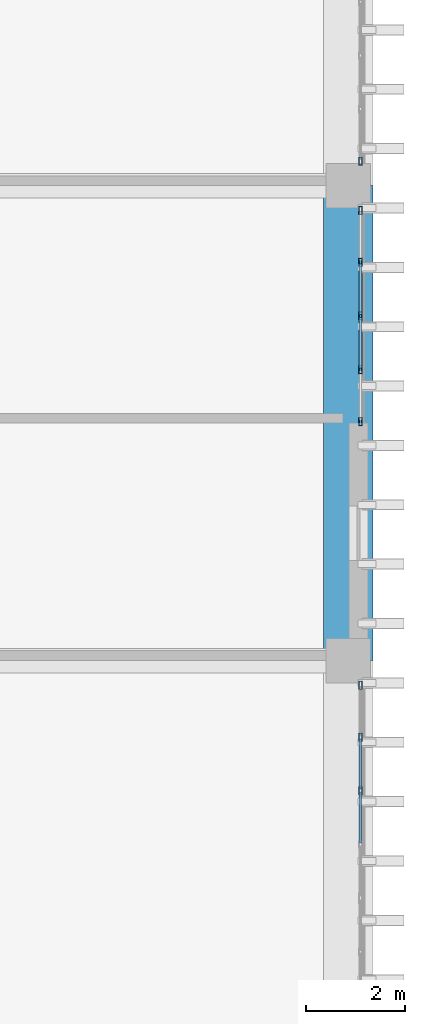
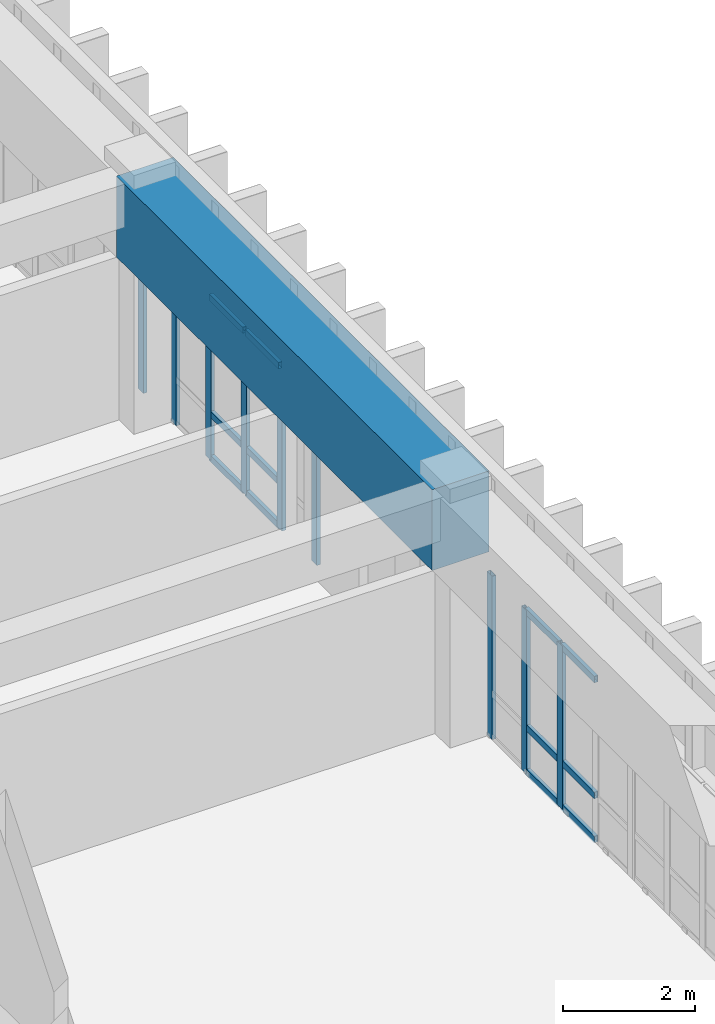
# One storey, part 45 of 101: 21 members, 1 beam, 3 elements without a shape of their own.
"""IFC4 building model written with IfcOpenShell, lengths in metres."""

import ifcopenshell
import ifcopenshell.guid

model = None  # the IFC model being written
_history = None  # IfcOwnerHistory: only IFC2X3 demands one
_inside = {}  # id of a spatial element -> (the spatial element, [elements in it])
_under = {}  # id of a project, library or spatial element -> (it, [spatial elements below it])
_declared = {}  # id of a project -> (the project, [libraries it declares])
_typed = {}  # id of a type object -> (the type object, [elements of that type])
_made_of = {}  # id of a material, layer set ... -> (it, [elements and type objects made of it])


def new_model(schema):
    """Start an empty IFC model of exactly this schema.

    Asked for "IFC4X3", IfcOpenShell would pick the latest addendum, in which some entities
    have other attributes; the version numbers below select the first issue.
    IFC2X3 requires an IfcOwnerHistory on every rooted entity: one is made here for all.
    """
    global model, _history
    if schema == "IFC4X3":
        model = ifcopenshell.file(schema_version=(4, 3, 0, 0))
    else:
        model = ifcopenshell.file(schema=schema)
    _inside.clear()
    _under.clear()
    _declared.clear()
    _typed.clear()
    _made_of.clear()
    _history = None
    if model.schema == "IFC2X3":
        org = make("IfcOrganization", Name="unknown")
        user = make(
            "IfcPersonAndOrganization",
            ThePerson=make("IfcPerson", FamilyName="unknown"),
            TheOrganization=org,
        )
        app = make(
            "IfcApplication",
            ApplicationDeveloper=org,
            Version="unknown",
            ApplicationFullName="unknown",
            ApplicationIdentifier="unknown",
        )
        _history = make(
            "IfcOwnerHistory",
            OwningUser=user,
            OwningApplication=app,
            ChangeAction="ADDED",
            CreationDate=0,
        )
    return model


def make(cls, **values):
    """One entity of the class cls with the attributes given. An attribute that is None is left unset."""
    return model.create_entity(
        cls, **{name: value for name, value in values.items() if value is not None}
    )


def rooted(cls, **values):
    """An entity with a GlobalId (a new one), such as an element, a storey or a relation."""
    return make(cls, GlobalId=ifcopenshell.guid.new(), OwnerHistory=_history, **values)


def si_unit(unit_type, name, prefix=None):
    """IfcSIUnit, for example si_unit("LENGTHUNIT", "METRE", prefix="MILLI")."""
    return make("IfcSIUnit", UnitType=unit_type, Prefix=prefix, Name=name)


def assignment(units):
    """IfcUnitAssignment: the units of a project."""
    return None if units is None else make("IfcUnitAssignment", Units=units)


def point(xyz):
    """IfcCartesianPoint."""
    return None if xyz is None else make("IfcCartesianPoint", Coordinates=xyz)


def direction(xyz):
    """IfcDirection."""
    return None if xyz is None else make("IfcDirection", DirectionRatios=xyz)


def frame(location, z_axis=None, x_axis=None):
    """IfcAxis2Placement3D, a coordinate frame: its origin and axes. An axis left out is left unset."""
    return make(
        "IfcAxis2Placement3D",
        Location=point(location),
        Axis=direction(z_axis),
        RefDirection=direction(x_axis),
    )


def frame_2d(location, x_axis=None):
    """IfcAxis2Placement2D, a coordinate frame in the plane: its origin and x axis."""
    return make(
        "IfcAxis2Placement2D", Location=point(location), RefDirection=direction(x_axis)
    )


def origin():
    """The frame at (0, 0, 0) with its axes left unset."""
    return frame((0.0, 0.0, 0.0))


def origin_2d():
    """The frame at (0, 0) in the plane with its x axis left unset."""
    return frame_2d((0.0, 0.0))


def place(relative_to, where):
    """IfcLocalPlacement: puts the frame where relative to a parent placement (None: the world)."""
    return make(
        "IfcLocalPlacement", PlacementRelTo=relative_to, RelativePlacement=where
    )


def context(
    kind, dimensions, precision=None, world=None, true_north=None, identifier=None
):
    """IfcGeometricRepresentationContext, for example the 3D "Model" context."""
    return make(
        "IfcGeometricRepresentationContext",
        ContextIdentifier=identifier,
        ContextType=kind,
        CoordinateSpaceDimension=dimensions,
        Precision=precision,
        WorldCoordinateSystem=world,
        TrueNorth=true_north,
    )


def subcontext(parent, identifier, kind, view, scale=None):
    """IfcGeometricRepresentationSubContext, for example "Body" below "Model"."""
    return make(
        "IfcGeometricRepresentationSubContext",
        ContextIdentifier=identifier,
        ContextType=kind,
        ParentContext=parent,
        TargetScale=scale,
        TargetView=view,
    )


def project(units=None, contexts=None):
    """IfcProject with its units and contexts."""
    return rooted(
        "IfcProject",
        Name="project",
        RepresentationContexts=contexts,
        UnitsInContext=assignment(units),
    )


def spatial(cls, under=None, at=None, **own):
    """A site, building, storey or space (cls), placed at a placement, below another one or the project."""
    s = rooted(cls, ObjectPlacement=at, **own)
    if under is not None:
        _under.setdefault(under.id(), (under, []))[1].append(s)
    return s


def profile(cls, at=None, kind="AREA", **sizes):
    """A parametric profile (cls). Its sizes go by their IFC names, for example OverallWidth=200.0."""
    return make(cls, ProfileType=kind, Position=at, **sizes)


def rectangle(**sizes):
    """IfcRectangleProfileDef."""
    return profile("IfcRectangleProfileDef", **sizes)


def hollow_rectangle(**sizes):
    """IfcRectangleHollowProfileDef."""
    return profile("IfcRectangleHollowProfileDef", **sizes)


def extrude(swept, where, along, depth):
    """IfcExtrudedAreaSolid: the profile swept, set in the frame where, extruded along a direction by depth."""
    return make(
        "IfcExtrudedAreaSolid",
        SweptArea=swept,
        Position=where,
        ExtrudedDirection=direction(along),
        Depth=depth,
    )


def shape(context_of_items, identifier, shape_type, items):
    """IfcShapeRepresentation: the items that make up one representation, for example the "Body"."""
    return make(
        "IfcShapeRepresentation",
        ContextOfItems=context_of_items,
        RepresentationIdentifier=identifier,
        RepresentationType=shape_type,
        Items=items,
    )


def material(Name=None, Category=None):
    """IfcMaterial."""
    return make("IfcMaterial", Name=Name, Category=Category)


def layer(
    of_material, thickness, ventilated=None, Name=None, Category=None, Priority=None
):
    """IfcMaterialLayer: one layer of a wall or slab, of a material (None: an air gap)."""
    return make(
        "IfcMaterialLayer",
        Material=of_material,
        LayerThickness=thickness,
        IsVentilated=ventilated,
        Name=Name,
        Category=Category,
        Priority=Priority,
    )


def layer_set(layers, Name=None):
    """IfcMaterialLayerSet."""
    return make("IfcMaterialLayerSet", MaterialLayers=layers, LayerSetName=Name)


def material_profile(
    of_material, cross_section, Name=None, Category=None, Priority=None
):
    """IfcMaterialProfile: a cross section and its material."""
    return make(
        "IfcMaterialProfile",
        Name=Name,
        Material=of_material,
        Profile=cross_section,
        Priority=Priority,
        Category=Category,
    )


def profile_set(profiles, Name=None, composite=None):
    """IfcMaterialProfileSet."""
    return make(
        "IfcMaterialProfileSet",
        Name=Name,
        MaterialProfiles=profiles,
        CompositeProfile=composite,
    )


def made_of(thing, what):
    """Note that an element or type object is made of a material, layer set ...; save() writes the relation."""
    if what is not None:
        _made_of.setdefault(what.id(), (what, []))[1].append(thing)
    return thing


def type_object(cls, material=None, **own):
    """A type object (cls), such as IfcWallType, which elements share."""
    return made_of(rooted(cls, **own), material)


def element(
    cls,
    number,
    at=None,
    inside=None,
    cuts=None,
    type_object=None,
    material=None,
    context=None,
    identifier="Body",
    shape_type=None,
    held_by="IfcProductDefinitionShape",
    body=None,
    shapes=None,
    **own,
):
    """One element of the class cls, such as IfcWall. Its Tag is "e" and its number.

    at: its placement. inside: the storey or other place that contains it. cuts: it is an
    opening in that element (IfcRelVoidsElement). A single representation is given by context,
    identifier, shape_type and body (its items); several are given by shapes. held_by: the class
    of the entity that holds the representations. save() writes the other relations.
    """
    e = rooted(cls, Tag="e%d" % number, ObjectPlacement=at, **own)
    if body is not None:
        shapes = [shape(context, identifier, shape_type, body)]
    if shapes is not None:
        e.Representation = make(held_by, Representations=shapes)
    if inside is not None:
        _inside.setdefault(inside.id(), (inside, []))[1].append(e)
    if cuts is not None:
        rooted(
            "IfcRelVoidsElement", RelatingBuildingElement=cuts, RelatedOpeningElement=e
        )
    if type_object is not None:
        _typed.setdefault(type_object.id(), (type_object, []))[1].append(e)
    return made_of(e, material)


def aggregate(whole, parts):
    """IfcRelAggregates: a whole, such as a stair, and the parts it consists of."""
    return rooted("IfcRelAggregates", RelatingObject=whole, RelatedObjects=parts)


def save(model, path):
    """Write the relations noted so far, then the file.

    IfcRelAggregates (storeys below a building ...), IfcRelContainedInSpatialStructure (elements
    in a storey), IfcRelDefinesByType, IfcRelAssociatesMaterial and IfcRelDeclares: one each for
    every whole, place, type object, material and project.
    """
    for whole, parts in _under.values():
        aggregate(whole, parts)
    for where, things in _inside.values():
        rooted(
            "IfcRelContainedInSpatialStructure",
            RelatedElements=things,
            RelatingStructure=where,
        )
    for kind, things in _typed.values():
        rooted("IfcRelDefinesByType", RelatedObjects=things, RelatingType=kind)
    for what, things in _made_of.values():
        rooted("IfcRelAssociatesMaterial", RelatedObjects=things, RelatingMaterial=what)
    for by, libraries in _declared.values():
        rooted("IfcRelDeclares", RelatingContext=by, RelatedDefinitions=libraries)
    model.write(path)


model = new_model("IFC4")

# Units and contexts
model_context = context("Model", 3, precision=1e-05, world=origin(), true_north=direction((0.0, 1.0)))
body_context = subcontext(model_context, "Body", "Model", "MODEL_VIEW")
ifc_project = project(units=[si_unit("LENGTHUNIT", "METRE"), si_unit("AREAUNIT", "SQUARE_METRE"), si_unit("VOLUMEUNIT", "CUBIC_METRE"), si_unit("PLANEANGLEUNIT", "RADIAN"), si_unit("MASSUNIT", "GRAM", prefix="KILO")], contexts=[model_context])

# Site, building, storey
site_placement = place(None, origin())
site = spatial("IfcSite", under=ifc_project, at=site_placement, CompositionType="ELEMENT")
building_placement = place(site_placement, origin())
building = spatial("IfcBuilding", under=site, at=building_placement, Name="Nakhvara Creek Congress Hotel", CompositionType="ELEMENT")
storey_placement = place(building_placement, frame((0.0, 0.0, 16.199951171875)))
storey = spatial("IfcBuildingStorey", under=building, at=storey_placement, Name="L03", CompositionType="ELEMENT", Elevation=16.199951171875)

# Beam
ifc_material_1 = material(Name="Concrete C50/60", Category="concrete")
ifc_material_profile_1 = material_profile(ifc_material_1, rectangle(XDim=1.0, YDim=1.5, at=origin_2d()), Name="RC-TG 1000x1500", Category="LoadBearing")
ifc_profile_set_1 = profile_set([ifc_material_profile_1], Name="Concrete C50/60")
beam_type = type_object("IfcBeamType", Name="BM-TG2-1500", PredefinedType="BEAM", material=ifc_profile_set_1)
beam_placement = place(storey_placement, frame((179.35009765625, 67.199951171875, 3.7900390625), z_axis=(0.0, 1.0, 0.0), x_axis=(-1.0, 0.0, 0.0)))
element("IfcBeam", 1, at=beam_placement, inside=storey, type_object=beam_type, Name="Transfer Girder TG2-L03-1903", PredefinedType="BEAM", context=body_context, shape_type="SweptSolid", body=[
    extrude(rectangle(XDim=1.0, YDim=1.5, at=origin_2d()), origin(), (0.0, 0.0, 1.0), 9.60009765625),
])

# Curtain wall, members
ifc_material_2 = material(Name="Bronze-anodised aluminium AW-6063-T6 and double-silver low-E glass", Category="aluminium")
ifc_layer = layer(ifc_material_2, 0.199951171875)
ifc_layer_set = layer_set([ifc_layer], Name="Bronze-anodised aluminium AW-6063-T6 and double-silver low-E glass")
curtain_wall_type = type_object("IfcCurtainWallType", Name="CW-HTL-UNIT", PredefinedType="USERDEFINED", material=ifc_layer_set)
curtain_wall_1_placement = place(storey_placement, origin())
curtain_wall_1 = element("IfcCurtainWall", 2, at=curtain_wall_1_placement, inside=storey, type_object=curtain_wall_type, Name="Curtain Wall CW159", ObjectType="UNITISED", PredefinedType="USERDEFINED")
ifc_material_3 = material(Name="Bronze-anodised aluminium AW-6063-T6", Category="aluminium")
ifc_material_profile_2 = material_profile(ifc_material_3, hollow_rectangle(XDim=0.06494140625, YDim=0.159912109375, WallThickness=0.00390625, at=origin_2d()), Name="ALU-MULL 65x160x4", Category="LoadBearing")
ifc_profile_set_2 = profile_set([ifc_material_profile_2], Name="Bronze-anodised aluminium AW-6063-T6")
member_type_1 = type_object("IfcMemberType", Name="CW-MULL-160", PredefinedType="MULLION", material=ifc_profile_set_2)
member_1_placement = place(storey_placement, frame((179.60009765625, 66.702392578125, 0.0), z_axis=(0.0, 0.0, 1.0), x_axis=(1.0, 0.0, 0.0)))
member_1 = element("IfcMember", 3, at=member_1_placement, type_object=member_type_1, Name="CW159 mullion 1", PredefinedType="MULLION", context=body_context, shape_type="SweptSolid", body=[
    extrude(hollow_rectangle(XDim=0.06494140625, YDim=0.159912109375, WallThickness=0.00390625, at=origin_2d()), origin(), (0.0, 0.0, 1.0), 3.031982421875),
])
member_2_placement = place(storey_placement, frame((179.60009765625, 65.6513671875, 0.0), z_axis=(0.0, 0.0, 1.0), x_axis=(1.0, 0.0, 0.0)))
member_2 = element("IfcMember", 4, at=member_2_placement, type_object=member_type_1, Name="CW159 mullion 2", PredefinedType="MULLION", context=body_context, shape_type="SweptSolid", body=[
    extrude(hollow_rectangle(XDim=0.06494140625, YDim=0.159912109375, WallThickness=0.00390625, at=origin_2d()), origin(), (0.0, 0.0, 1.0), 3.031982421875),
])
member_3_placement = place(storey_placement, frame((179.60009765625, 64.5673828125, 0.0), z_axis=(0.0, 0.0, 1.0), x_axis=(1.0, 0.0, 0.0)))
member_3 = element("IfcMember", 5, at=member_3_placement, type_object=member_type_1, Name="CW159 mullion 3", PredefinedType="MULLION", context=body_context, shape_type="SweptSolid", body=[
    extrude(hollow_rectangle(XDim=0.06494140625, YDim=0.159912109375, WallThickness=0.00390625, at=origin_2d()), origin(), (0.0, 0.0, 1.0), 3.031982421875),
])

curtain_wall_2_placement = place(storey_placement, origin())
curtain_wall_2 = element("IfcCurtainWall", 6, at=curtain_wall_2_placement, inside=storey, type_object=curtain_wall_type, Name="Curtain Wall CW160", ObjectType="UNITISED", PredefinedType="USERDEFINED")
member_4_placement = place(storey_placement, frame((179.60009765625, 76.302490234375, 0.0), z_axis=(0.0, 0.0, 1.0), x_axis=(1.0, 0.0, 0.0)))
member_4 = element("IfcMember", 7, at=member_4_placement, type_object=member_type_1, Name="CW160 mullion 1", PredefinedType="MULLION", context=body_context, shape_type="SweptSolid", body=[
    extrude(hollow_rectangle(XDim=0.06494140625, YDim=0.159912109375, WallThickness=0.00390625, at=origin_2d()), origin(), (0.0, 0.0, 1.0), 3.031982421875),
])
member_5_placement = place(storey_placement, frame((179.60009765625, 75.251220703125, 0.0), z_axis=(0.0, 0.0, 1.0), x_axis=(1.0, 0.0, 0.0)))
member_5 = element("IfcMember", 8, at=member_5_placement, type_object=member_type_1, Name="CW160 mullion 2", PredefinedType="MULLION", context=body_context, shape_type="SweptSolid", body=[
    extrude(hollow_rectangle(XDim=0.06494140625, YDim=0.159912109375, WallThickness=0.00390625, at=origin_2d()), origin(), (0.0, 0.0, 1.0), 3.031982421875),
])
member_6_placement = place(storey_placement, frame((179.60009765625, 74.16748046875, 0.0), z_axis=(0.0, 0.0, 1.0), x_axis=(1.0, 0.0, 0.0)))
member_6 = element("IfcMember", 9, at=member_6_placement, type_object=member_type_1, Name="CW160 mullion 3", PredefinedType="MULLION", context=body_context, shape_type="SweptSolid", body=[
    extrude(hollow_rectangle(XDim=0.06494140625, YDim=0.159912109375, WallThickness=0.00390625, at=origin_2d()), origin(), (0.0, 0.0, 1.0), 3.031982421875),
])
member_7_placement = place(storey_placement, frame((179.60009765625, 73.083740234375, 0.0), z_axis=(0.0, 0.0, 1.0), x_axis=(1.0, 0.0, 0.0)))
member_7 = element("IfcMember", 10, at=member_7_placement, type_object=member_type_1, Name="CW160 mullion 4", PredefinedType="MULLION", context=body_context, shape_type="SweptSolid", body=[
    extrude(hollow_rectangle(XDim=0.06494140625, YDim=0.159912109375, WallThickness=0.00390625, at=origin_2d()), origin(), (0.0, 0.0, 1.0), 3.031982421875),
])
member_8_placement = place(storey_placement, frame((179.60009765625, 72.032470703125, 0.0), z_axis=(0.0, 0.0, 1.0), x_axis=(1.0, 0.0, 0.0)))
member_8 = element("IfcMember", 11, at=member_8_placement, type_object=member_type_1, Name="CW160 mullion 5", PredefinedType="MULLION", context=body_context, shape_type="SweptSolid", body=[
    extrude(hollow_rectangle(XDim=0.06494140625, YDim=0.159912109375, WallThickness=0.00390625, at=origin_2d()), origin(), (0.0, 0.0, 1.0), 3.031982421875),
])

# Curtain wall, member
curtain_wall_3_placement = place(storey_placement, origin())
curtain_wall_3 = element("IfcCurtainWall", 12, at=curtain_wall_3_placement, inside=storey, type_object=curtain_wall_type, Name="Curtain Wall CW161", ObjectType="UNITISED", PredefinedType="USERDEFINED")
member_9_placement = place(storey_placement, frame((179.60009765625, 77.297607421875, 0.0), z_axis=(0.0, 0.0, 1.0), x_axis=(1.0, 0.0, 0.0)))
member_9 = element("IfcMember", 13, at=member_9_placement, type_object=member_type_1, Name="CW161 mullion 5", PredefinedType="MULLION", context=body_context, shape_type="SweptSolid", body=[
    extrude(hollow_rectangle(XDim=0.06494140625, YDim=0.159912109375, WallThickness=0.00390625, at=origin_2d()), origin(), (0.0, 0.0, 1.0), 3.031982421875),
])
aggregate(curtain_wall_3, [member_9])

# Member
ifc_material_profile_3 = material_profile(ifc_material_3, hollow_rectangle(XDim=0.06494140625, YDim=0.1201171875, WallThickness=0.00390625, at=origin_2d()), Name="ALU-TRAN 65x120x4", Category="LoadBearing")
ifc_profile_set_3 = profile_set([ifc_material_profile_3], Name="Bronze-anodised aluminium AW-6063-T6")
member_type_2 = type_object("IfcMemberType", Name="CW-TRAN-120", PredefinedType="USERDEFINED", material=ifc_profile_set_3)
member_10_placement = place(storey_placement, frame((179.60009765625, 65.61865234375, 0.032470703125), z_axis=(0.0, -1.0, 0.0), x_axis=(1.0, 0.0, 0.0)))
member_10 = element("IfcMember", 14, at=member_10_placement, type_object=member_type_2, Name="CW159 transom 2.1", ObjectType="TRANSOM", PredefinedType="USERDEFINED", context=body_context, shape_type="SweptSolid", body=[
    extrude(hollow_rectangle(XDim=0.06494140625, YDim=0.1201171875, WallThickness=0.00390625, at=origin_2d()), origin(), (0.0, 0.0, 1.0), 1.0185546875),
])

member_11_placement = place(storey_placement, frame((179.60009765625, 65.61865234375, 0.85009765625), z_axis=(0.0, -1.0, 0.0), x_axis=(1.0, 0.0, 0.0)))
member_11 = element("IfcMember", 15, at=member_11_placement, type_object=member_type_2, Name="CW159 transom 2.2", ObjectType="TRANSOM", PredefinedType="USERDEFINED", context=body_context, shape_type="SweptSolid", body=[
    extrude(hollow_rectangle(XDim=0.06494140625, YDim=0.1201171875, WallThickness=0.00390625, at=origin_2d()), origin(), (0.0, 0.0, 1.0), 1.0185546875),
])

member_12_placement = place(storey_placement, frame((179.60009765625, 65.61865234375, 2.99951171875), z_axis=(0.0, -1.0, 0.0), x_axis=(1.0, 0.0, 0.0)))
member_12 = element("IfcMember", 16, at=member_12_placement, type_object=member_type_2, Name="CW159 transom 2.3", ObjectType="TRANSOM", PredefinedType="USERDEFINED", context=body_context, shape_type="SweptSolid", body=[
    extrude(hollow_rectangle(XDim=0.06494140625, YDim=0.1201171875, WallThickness=0.00390625, at=origin_2d()), origin(), (0.0, 0.0, 1.0), 1.0185546875),
])

member_13_placement = place(storey_placement, frame((179.60009765625, 64.534912109375, 0.032470703125), z_axis=(0.0, -1.0, 0.0), x_axis=(1.0, 0.0, 0.0)))
member_13 = element("IfcMember", 17, at=member_13_placement, type_object=member_type_2, Name="CW159 transom 3.1", ObjectType="TRANSOM", PredefinedType="USERDEFINED", context=body_context, shape_type="SweptSolid", body=[
    extrude(hollow_rectangle(XDim=0.06494140625, YDim=0.1201171875, WallThickness=0.00390625, at=origin_2d()), origin(), (0.0, 0.0, 1.0), 1.0185546875),
])

member_14_placement = place(storey_placement, frame((179.60009765625, 64.534912109375, 0.85009765625), z_axis=(0.0, -1.0, 0.0), x_axis=(1.0, 0.0, 0.0)))
member_14 = element("IfcMember", 18, at=member_14_placement, type_object=member_type_2, Name="CW159 transom 3.2", ObjectType="TRANSOM", PredefinedType="USERDEFINED", context=body_context, shape_type="SweptSolid", body=[
    extrude(hollow_rectangle(XDim=0.06494140625, YDim=0.1201171875, WallThickness=0.00390625, at=origin_2d()), origin(), (0.0, 0.0, 1.0), 1.0185546875),
])

member_15_placement = place(storey_placement, frame((179.60009765625, 64.534912109375, 2.99951171875), z_axis=(0.0, -1.0, 0.0), x_axis=(1.0, 0.0, 0.0)))
member_15 = element("IfcMember", 19, at=member_15_placement, type_object=member_type_2, Name="CW159 transom 3.3", ObjectType="TRANSOM", PredefinedType="USERDEFINED", context=body_context, shape_type="SweptSolid", body=[
    extrude(hollow_rectangle(XDim=0.06494140625, YDim=0.1201171875, WallThickness=0.00390625, at=origin_2d()), origin(), (0.0, 0.0, 1.0), 1.0185546875),
])

aggregate(curtain_wall_1, [member_1, member_2, member_3, member_10, member_11, member_12, member_13, member_14, member_15])

member_16_placement = place(storey_placement, frame((179.60009765625, 75.21875, 0.032470703125), z_axis=(0.0, -1.0, 0.0), x_axis=(1.0, 0.0, 0.0)))
member_16 = element("IfcMember", 20, at=member_16_placement, type_object=member_type_2, Name="CW160 transom 2.1", ObjectType="TRANSOM", PredefinedType="USERDEFINED", context=body_context, shape_type="SweptSolid", body=[
    extrude(hollow_rectangle(XDim=0.06494140625, YDim=0.1201171875, WallThickness=0.00390625, at=origin_2d()), origin(), (0.0, 0.0, 1.0), 1.018798828125),
])

member_17_placement = place(storey_placement, frame((179.60009765625, 75.21875, 0.85009765625), z_axis=(0.0, -1.0, 0.0), x_axis=(1.0, 0.0, 0.0)))
member_17 = element("IfcMember", 21, at=member_17_placement, type_object=member_type_2, Name="CW160 transom 2.2", ObjectType="TRANSOM", PredefinedType="USERDEFINED", context=body_context, shape_type="SweptSolid", body=[
    extrude(hollow_rectangle(XDim=0.06494140625, YDim=0.1201171875, WallThickness=0.00390625, at=origin_2d()), origin(), (0.0, 0.0, 1.0), 1.018798828125),
])

member_18_placement = place(storey_placement, frame((179.60009765625, 75.21875, 2.99951171875), z_axis=(0.0, -1.0, 0.0), x_axis=(1.0, 0.0, 0.0)))
member_18 = element("IfcMember", 22, at=member_18_placement, type_object=member_type_2, Name="CW160 transom 2.3", ObjectType="TRANSOM", PredefinedType="USERDEFINED", context=body_context, shape_type="SweptSolid", body=[
    extrude(hollow_rectangle(XDim=0.06494140625, YDim=0.1201171875, WallThickness=0.00390625, at=origin_2d()), origin(), (0.0, 0.0, 1.0), 1.018798828125),
])

member_19_placement = place(storey_placement, frame((179.60009765625, 74.135009765625, 0.032470703125), z_axis=(0.0, -1.0, 0.0), x_axis=(1.0, 0.0, 0.0)))
member_19 = element("IfcMember", 23, at=member_19_placement, type_object=member_type_2, Name="CW160 transom 3.1", ObjectType="TRANSOM", PredefinedType="USERDEFINED", context=body_context, shape_type="SweptSolid", body=[
    extrude(hollow_rectangle(XDim=0.06494140625, YDim=0.1201171875, WallThickness=0.00390625, at=origin_2d()), origin(), (0.0, 0.0, 1.0), 1.018798828125),
])

member_20_placement = place(storey_placement, frame((179.60009765625, 74.135009765625, 0.85009765625), z_axis=(0.0, -1.0, 0.0), x_axis=(1.0, 0.0, 0.0)))
member_20 = element("IfcMember", 24, at=member_20_placement, type_object=member_type_2, Name="CW160 transom 3.2", ObjectType="TRANSOM", PredefinedType="USERDEFINED", context=body_context, shape_type="SweptSolid", body=[
    extrude(hollow_rectangle(XDim=0.06494140625, YDim=0.1201171875, WallThickness=0.00390625, at=origin_2d()), origin(), (0.0, 0.0, 1.0), 1.018798828125),
])

member_21_placement = place(storey_placement, frame((179.60009765625, 74.135009765625, 2.99951171875), z_axis=(0.0, -1.0, 0.0), x_axis=(1.0, 0.0, 0.0)))
member_21 = element("IfcMember", 25, at=member_21_placement, type_object=member_type_2, Name="CW160 transom 3.3", ObjectType="TRANSOM", PredefinedType="USERDEFINED", context=body_context, shape_type="SweptSolid", body=[
    extrude(hollow_rectangle(XDim=0.06494140625, YDim=0.1201171875, WallThickness=0.00390625, at=origin_2d()), origin(), (0.0, 0.0, 1.0), 1.018798828125),
])

aggregate(curtain_wall_2, [member_4, member_5, member_6, member_7, member_8, member_16, member_17, member_18, member_19, member_20, member_21])

save(model, "model.ifc")
